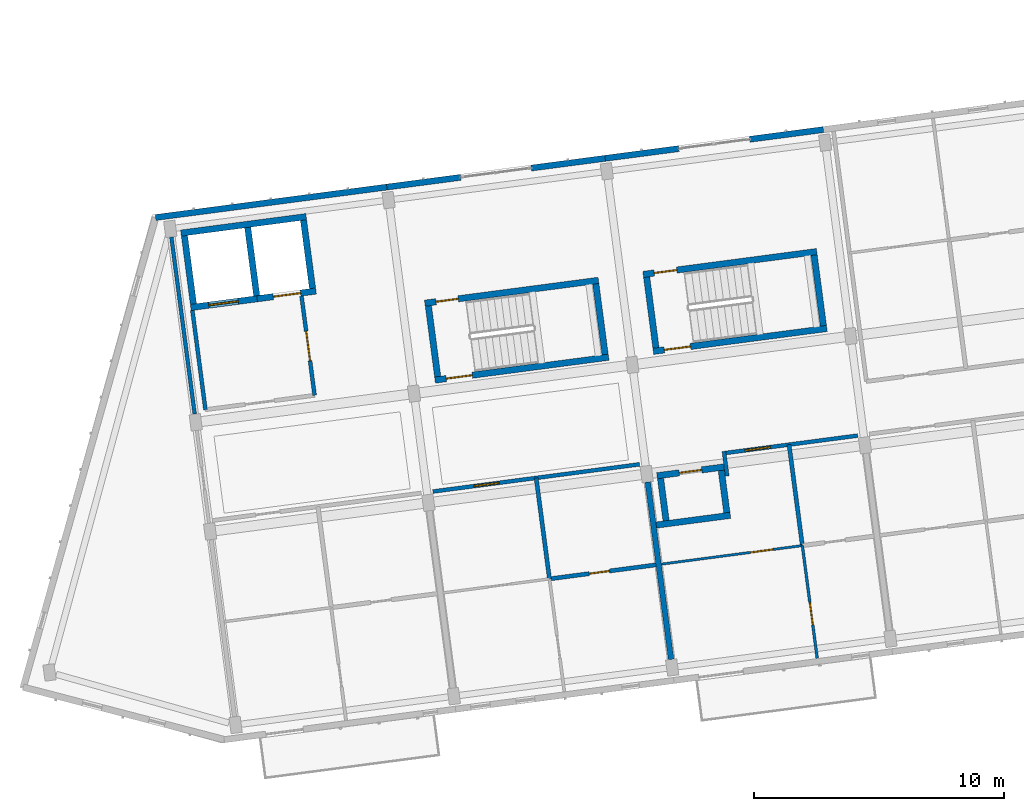
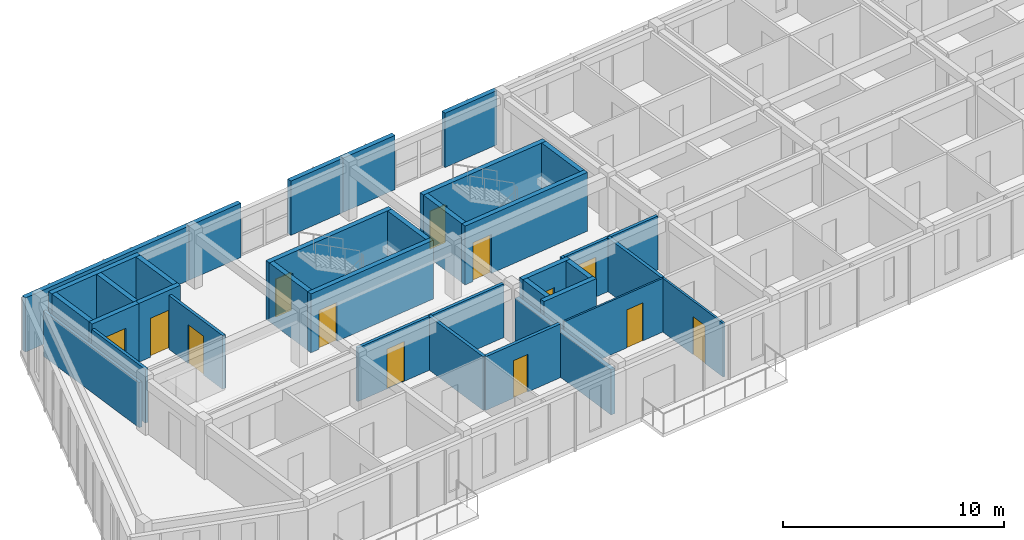
# One storey, part 21 of 56: 35 walls, 13 doors, 13 openings.
"""IFC4 building model written with IfcOpenShell, lengths in metres."""

from ifc_helpers import new_model, si_unit, direction, frame, frame_2d, origin, place, context, subcontext, project, spatial, rectangle, extrude, material, layer, layer_set, type_object, element, fill, save


model = new_model("IFC4")

# Units and contexts
model_context = context("Model", 3, precision=1e-05, world=origin(), true_north=direction((0.0, 1.0)))
body_context = subcontext(model_context, "Body", "Model", "MODEL_VIEW")
ifc_project = project(units=[si_unit("LENGTHUNIT", "METRE"), si_unit("AREAUNIT", "SQUARE_METRE"), si_unit("VOLUMEUNIT", "CUBIC_METRE"), si_unit("PLANEANGLEUNIT", "RADIAN"), si_unit("MASSUNIT", "GRAM", prefix="KILO")], contexts=[model_context])

# Site, building, storey
site_placement = place(None, origin())
site = spatial("IfcSite", under=ifc_project, at=site_placement, CompositionType="ELEMENT")
building_placement = place(site_placement, origin())
building = spatial("IfcBuilding", under=site, at=building_placement, Name="Kestramere Prow Commons", CompositionType="ELEMENT")
storey_placement = place(building_placement, frame((0.0, 0.0, 27.89990234375)))
storey = spatial("IfcBuildingStorey", under=building, at=storey_placement, Name="L08", CompositionType="ELEMENT", Elevation=27.89990234375)

# Walls
ifc_material_1 = material(Name="Fluoropolymer Standing-Seam Zinc-Aluminium Cladding", Category="aluminium")
ifc_layer_1 = layer(ifc_material_1, 0.239990234375)
ifc_layer_set_1 = layer_set([ifc_layer_1], Name="Fluoropolymer Standing-Seam Zinc-Aluminium Cladding")
wall_type_1 = type_object("IfcWallType", Name="EW-SEAM-240", PredefinedType="SOLIDWALL", material=ifc_layer_set_1)
wall_1_placement = place(storey_placement, frame((8.00048828125, 92.28076171875, 0.0), z_axis=(0.0, 0.0, 1.0), x_axis=(0.991442885224, 0.130541201693, 0.0)))
element("IfcWall", 1, at=wall_1_placement, inside=storey, type_object=wall_type_1, Name="Block A L08 North Standing-Seam Wall 1", PredefinedType="SOLIDWALL", context=body_context, shape_type="SweptSolid", body=[
    extrude(rectangle(XDim=9.324951171875, YDim=0.239990234375, at=frame_2d((4.66259765625, 0.0))), origin(), (0.0, 0.0, 1.0), 3.0),
])
for number, where, z_axis, x_axis, name in (
    (2, (17.24560546875, 93.498046875, 0.0), (0.0, 0.0, 1.0), (0.991451502252, 0.130475739826, 0.0), "Block A L08 North Standing-Seam Pier 2L"),
    (3, (23.020751953125, 94.25830078125, 0.0), (0.0, 0.0, 1.0), (0.991440883744, 0.130556401758, 0.0), "Block A L08 North Standing-Seam Pier 2R"),
):
    element("IfcWall", number, at=place(storey_placement, frame(where, z_axis=z_axis, x_axis=x_axis)), inside=storey, type_object=wall_type_1, Name=name, PredefinedType="SOLIDWALL", context=body_context, shape_type="SweptSolid", body=[
        extrude(rectangle(XDim=2.97509765625, YDim=0.239990234375, at=frame_2d((1.487548828125, 0.0))), origin(), (0.0, 0.0, 1.0), 3.0),
    ])
for number, where, z_axis, x_axis, name in (
    (4, (25.970458984375, 94.646728515625, 0.0), (0.0, 0.0, 1.0), (0.991450105095, 0.130486356022, 0.0), "Block A L08 North Standing-Seam Pier 3L"),
    (5, (31.74560546875, 95.406982421875, 0.0), (0.0, 0.0, 1.0), (0.991439484875, 0.130567024289, 0.0), "Block A L08 North Standing-Seam Pier 3R"),
):
    element("IfcWall", number, at=place(storey_placement, frame(where, z_axis=z_axis, x_axis=x_axis)), inside=storey, type_object=wall_type_1, Name=name, PredefinedType="SOLIDWALL", context=body_context, shape_type="SweptSolid", body=[
        extrude(rectangle(XDim=2.974853515625, YDim=0.239990234375, at=frame_2d((1.4873046875, 0.0))), origin(), (0.0, 0.0, 1.0), 3.0),
    ])
ifc_material_2 = material(Name="Concrete C40/50", Category="concrete")
ifc_layer_2 = layer(ifc_material_2, 0.25)
ifc_layer_set_2 = layer_set([ifc_layer_2], Name="Concrete C40/50")
wall_type_2 = type_object("IfcWallType", Name="W-CORE-250", PredefinedType="SHEAR", material=ifc_layer_set_2)
wall_2_placement = place(storey_placement, frame((9.015380859375, 91.657958984375, 0.0), z_axis=(0.0, 0.0, 1.0), x_axis=(0.991444419808, 0.130529546201, 0.0)))
element("IfcWall", 6, at=wall_2_placement, inside=storey, type_object=wall_type_2, Name="Block A L08 Lift Core Back Wall", PredefinedType="SHEAR", context=body_context, shape_type="SweptSolid", body=[
    extrude(rectangle(XDim=5.050048828125, YDim=0.25, at=frame_2d((2.52490234375, 0.0))), origin(), (0.0, 0.0, 1.0), 3.25),
])

# Wall, opening, door
wall_3_placement = place(storey_placement, frame((9.406982421875, 88.68359375, 0.0), z_axis=(0.0, 0.0, 1.0), x_axis=(0.991434713833, 0.130603247307, 0.0)))
wall_3 = element("IfcWall", 7, at=wall_3_placement, inside=storey, type_object=wall_type_2, Name="Block A L08 Fire Lift Shaft Front Wall", PredefinedType="SHEAR", context=body_context, shape_type="SweptSolid", body=[
    extrude(rectangle(XDim=2.675048828125, YDim=0.25, at=frame_2d((1.33740234375, 0.0))), origin(), (0.0, 0.0, 1.0), 3.25),
])
opening_1_placement = place(wall_3_placement, frame((0.719970703125, 0.0, 0.0)))
opening_1 = element("IfcOpeningElement", 8, at=opening_1_placement, cuts=wall_3, Name="Opening LD-02", PredefinedType="OPENING", context=body_context, shape_type="SweptSolid", body=[
    extrude(rectangle(XDim=1.199951171875, YDim=2.199951171875, at=frame_2d((0.60009765625, 1.10009765625))), frame((0.0, 0.139892578125, 0.0), z_axis=(0.0, -1.0, 0.0), x_axis=(1.0, 0.0, 0.0)), (0.0, 0.0, 1.0), 0.280029296875),
])
ifc_material_3 = material(Name="Brushed Stainless Steel 316", Category="steel")
door_type_1 = type_object("IfcDoorType", Name="LD-02", OperationType="DOUBLE_DOOR_SLIDING", PredefinedType="DOOR", material=ifc_material_3)
door_1_placement = place(opening_1_placement, origin())
door_1 = element("IfcDoor", 9, at=door_1_placement, inside=storey, type_object=door_type_1, Name="FL-A1 L08 Lift Landing Door", OperationType="DOUBLE_DOOR_SLIDING", OverallHeight=2.199951171875, OverallWidth=1.199951171875, PredefinedType="DOOR", context=body_context, shape_type="SweptSolid", body=[
    extrude(rectangle(XDim=1.199951171875, YDim=2.199951171875, at=frame_2d((0.60009765625, 1.10009765625))), frame((0.0, 0.02490234375, 0.0), z_axis=(0.0, -1.0, 0.0), x_axis=(1.0, 0.0, 0.0)), (0.0, 0.0, 1.0), 0.050048828125),
])
fill(opening_1, door_1)

wall_4_placement = place(storey_placement, frame((12.05908203125, 89.032958984375, 0.0), z_axis=(0.0, 0.0, 1.0), x_axis=(0.99145534515, 0.130446535303, 0.0)))
wall_4 = element("IfcWall", 10, at=wall_4_placement, inside=storey, type_object=wall_type_2, Name="Block A L08 Passenger Lift Shaft Front Wall", PredefinedType="SHEAR", context=body_context, shape_type="SweptSolid", body=[
    extrude(rectangle(XDim=2.375, YDim=0.25, at=frame_2d((1.1875, 0.0))), origin(), (0.0, 0.0, 1.0), 3.25),
])
opening_2_placement = place(wall_4_placement, frame((0.64990234375, 0.0, 0.0)))
opening_2 = element("IfcOpeningElement", 11, at=opening_2_placement, cuts=wall_4, Name="Opening LD-01", PredefinedType="OPENING", context=body_context, shape_type="SweptSolid", body=[
    extrude(rectangle(XDim=1.10009765625, YDim=2.14990234375, at=frame_2d((0.550048828125, 1.074951171875))), frame((0.0, 0.139892578125, 0.0), z_axis=(0.0, -1.0, 0.0), x_axis=(1.0, 0.0, 0.0)), (0.0, 0.0, 1.0), 0.280029296875),
])
ifc_material_4 = material(Name="Brushed Stainless Steel 304", Category="steel")
door_type_2 = type_object("IfcDoorType", Name="LD-01", OperationType="DOUBLE_DOOR_SLIDING", PredefinedType="DOOR", material=ifc_material_4)
door_2_placement = place(opening_2_placement, origin())
door_2 = element("IfcDoor", 12, at=door_2_placement, inside=storey, type_object=door_type_2, Name="PL-A2 L08 Lift Landing Door", OperationType="DOUBLE_DOOR_SLIDING", OverallHeight=2.14990234375, OverallWidth=1.10009765625, PredefinedType="DOOR", context=body_context, shape_type="SweptSolid", body=[
    extrude(rectangle(XDim=1.10009765625, YDim=2.14990234375, at=frame_2d((0.550048828125, 1.074951171875))), frame((0.0, 0.02490234375, 0.0), z_axis=(0.0, -1.0, 0.0), x_axis=(1.0, 0.0, 0.0)), (0.0, 0.0, 1.0), 0.050048828125),
])
fill(opening_2, door_2)

# Walls
for number, where, z_axis, x_axis, name in (
    (13, (9.5146484375, 88.823974609375, 0.0), (0.0, 0.0, 1.0), (-0.130500441374, 0.991448251197, 0.0), "Block A L08 Lift Core Side Wall L"),
    (14, (12.042724609375, 89.15673828125, 0.0), (0.0, 0.0, 1.0), (-0.130500441374, 0.991448251197, 0.0), "Block A L08 Lift Core Side Wall M"),
    (15, (14.2734375, 89.450439453125, 0.0), (0.0, 0.0, 1.0), (-0.130500441374, 0.991448251197, 0.0), "Block A L08 Lift Core Side Wall R"),
):
    element("IfcWall", number, at=place(storey_placement, frame(where, z_axis=z_axis, x_axis=x_axis)), inside=storey, type_object=wall_type_2, Name=name, PredefinedType="SHEAR", context=body_context, shape_type="SweptSolid", body=[
        extrude(rectangle(XDim=2.75, YDim=0.25, at=frame_2d((1.375, 0.0))), origin(), (0.0, 0.0, 1.0), 3.25),
    ])

# Wall, opening, door
wall_5_placement = place(storey_placement, frame((18.764404296875, 88.856689453125, 0.0), z_axis=(0.0, 0.0, 1.0), x_axis=(0.991447052715, 0.13050954625, 0.0)))
wall_5 = element("IfcWall", 16, at=wall_5_placement, inside=storey, type_object=wall_type_2, Name="ST-A1 L08 North Shaft Wall", PredefinedType="SHEAR", context=body_context, shape_type="SweptSolid", body=[
    extrude(rectangle(XDim=7.0, YDim=0.25, at=frame_2d((3.5, 0.0))), origin(), (0.0, 0.0, 1.0), 3.25),
])
opening_3_placement = place(wall_5_placement, frame((0.449951171875, 0.0, 0.0)))
opening_3 = element("IfcOpeningElement", 17, at=opening_3_placement, cuts=wall_5, Name="Opening ID-08", PredefinedType="OPENING", context=body_context, shape_type="SweptSolid", body=[
    extrude(rectangle(XDim=0.89990234375, YDim=2.10009765625, at=frame_2d((0.449951171875, 1.050048828125))), frame((0.0, 0.139892578125, 0.0), z_axis=(0.0, -1.0, 0.0), x_axis=(1.0, 0.0, 0.0)), (0.0, 0.0, 1.0), 0.280029296875),
])
ifc_material_5 = material(Name="Engineered Timber Flush Door", Category="wood")
door_type_3 = type_object("IfcDoorType", Name="D-RM-01", OperationType="NOTDEFINED", PredefinedType="DOOR", material=ifc_material_5)
door_3_placement = place(opening_3_placement, origin())
door_3 = element("IfcDoor", 18, at=door_3_placement, inside=storey, type_object=door_type_3, Name="ST-A1 L08 North Room Door", OperationType="SINGLE_SWING_RIGHT", OverallHeight=2.10009765625, OverallWidth=0.89990234375, PredefinedType="DOOR", context=body_context, shape_type="SweptSolid", body=[
    extrude(rectangle(XDim=0.89990234375, YDim=2.10009765625, at=frame_2d((0.449951171875, 1.050048828125))), frame((0.0, 0.02490234375, 0.0), z_axis=(0.0, -1.0, 0.0), x_axis=(1.0, 0.0, 0.0)), (0.0, 0.0, 1.0), 0.050048828125),
])
fill(opening_3, door_3)

wall_6_placement = place(storey_placement, frame((19.169189453125, 85.783203125, 0.0), z_axis=(0.0, 0.0, 1.0), x_axis=(0.991446458634, 0.130514059249, 0.0)))
wall_6 = element("IfcWall", 19, at=wall_6_placement, inside=storey, type_object=wall_type_2, Name="ST-A1 L08 Corridor Shaft Wall", PredefinedType="SHEAR", context=body_context, shape_type="SweptSolid", body=[
    extrude(rectangle(XDim=6.999755859375, YDim=0.25, at=frame_2d((3.5, 0.0))), origin(), (0.0, 0.0, 1.0), 3.25),
])
opening_4_placement = place(wall_6_placement, frame((0.449951171875, 0.0, 0.0)))
opening_4 = element("IfcOpeningElement", 20, at=opening_4_placement, cuts=wall_6, Name="Opening ID-01", PredefinedType="OPENING", context=body_context, shape_type="SweptSolid", body=[
    extrude(rectangle(XDim=1.050048828125, YDim=2.14990234375, at=frame_2d((0.52490234375, 1.074951171875))), frame((0.0, 0.139892578125, 0.0), z_axis=(0.0, -1.0, 0.0), x_axis=(1.0, 0.0, 0.0)), (0.0, 0.0, 1.0), 0.280029296875),
])
ifc_material_6 = material(Name="Fire-Rated Timber and Steel Frame", Category="steel")
door_type_4 = type_object("IfcDoorType", Name="FD-ST-01", OperationType="NOTDEFINED", PredefinedType="DOOR", material=ifc_material_6)
door_4_placement = place(opening_4_placement, origin())
door_4 = element("IfcDoor", 21, at=door_4_placement, inside=storey, type_object=door_type_4, Name="ST-A1 L08 Protected Stair Door", OperationType="SINGLE_SWING_LEFT", OverallHeight=2.14990234375, OverallWidth=1.050048828125, PredefinedType="DOOR", context=body_context, shape_type="SweptSolid", body=[
    extrude(rectangle(XDim=1.050048828125, YDim=2.14990234375, at=frame_2d((0.52490234375, 1.074951171875))), frame((0.0, 0.02490234375, 0.0), z_axis=(0.0, -1.0, 0.0), x_axis=(1.0, 0.0, 0.0)), (0.0, 0.0, 1.0), 0.050048828125),
])
fill(opening_4, door_4)

# Walls
for number, where, z_axis, x_axis, name in (
    (22, (19.27685546875, 85.92333984375, 0.0), (0.0, 0.0, 1.0), (-0.130547578832, 0.991442045538, 0.0), "ST-A1 L08 Near Shaft Wall"),
    (23, (25.968994140625, 86.804443359375, 0.0), (0.0, 0.0, 1.0), (-0.130547578832, 0.991442045538, 0.0), "ST-A1 L08 Far Shaft Wall"),
):
    element("IfcWall", number, at=place(storey_placement, frame(where, z_axis=z_axis, x_axis=x_axis)), inside=storey, type_object=wall_type_2, Name=name, PredefinedType="SHEAR", context=body_context, shape_type="SweptSolid", body=[
        extrude(rectangle(XDim=2.85009765625, YDim=0.25, at=frame_2d((1.425048828125, 0.0))), origin(), (0.0, 0.0, 1.0), 3.25),
    ])

# Wall, opening, door
wall_7_placement = place(storey_placement, frame((27.4892578125, 90.005126953125, 0.0), z_axis=(0.0, 0.0, 1.0), x_axis=(0.991441944909, 0.130548343059, 0.0)))
wall_7 = element("IfcWall", 24, at=wall_7_placement, inside=storey, type_object=wall_type_2, Name="ST-A2 L08 North Shaft Wall", PredefinedType="SHEAR", context=body_context, shape_type="SweptSolid", body=[
    extrude(rectangle(XDim=6.999755859375, YDim=0.25, at=frame_2d((3.5, 0.0))), origin(), (0.0, 0.0, 1.0), 3.25),
])
opening_5_placement = place(wall_7_placement, frame((0.449951171875, 0.0, 0.0)))
opening_5 = element("IfcOpeningElement", 25, at=opening_5_placement, cuts=wall_7, Name="Opening ID-08", PredefinedType="OPENING", context=body_context, shape_type="SweptSolid", body=[
    extrude(rectangle(XDim=0.89990234375, YDim=2.10009765625, at=frame_2d((0.449951171875, 1.050048828125))), frame((0.0, 0.139892578125, 0.0), z_axis=(0.0, -1.0, 0.0), x_axis=(1.0, 0.0, 0.0)), (0.0, 0.0, 1.0), 0.280029296875),
])
door_5_placement = place(opening_5_placement, origin())
door_5 = element("IfcDoor", 26, at=door_5_placement, inside=storey, type_object=door_type_3, Name="ST-A2 L08 North Room Door", OperationType="SINGLE_SWING_RIGHT", OverallHeight=2.10009765625, OverallWidth=0.89990234375, PredefinedType="DOOR", context=body_context, shape_type="SweptSolid", body=[
    extrude(rectangle(XDim=0.89990234375, YDim=2.10009765625, at=frame_2d((0.449951171875, 1.050048828125))), frame((0.0, 0.02490234375, 0.0), z_axis=(0.0, -1.0, 0.0), x_axis=(1.0, 0.0, 0.0)), (0.0, 0.0, 1.0), 0.050048828125),
])
fill(opening_5, door_5)

wall_8_placement = place(storey_placement, frame((27.893798828125, 86.931640625, 0.0), z_axis=(0.0, 0.0, 1.0), x_axis=(0.991442539299, 0.130543828916, 0.0)))
wall_8 = element("IfcWall", 27, at=wall_8_placement, inside=storey, type_object=wall_type_2, Name="ST-A2 L08 Corridor Shaft Wall", PredefinedType="SHEAR", context=body_context, shape_type="SweptSolid", body=[
    extrude(rectangle(XDim=7.0, YDim=0.25, at=frame_2d((3.5, 0.0))), origin(), (0.0, 0.0, 1.0), 3.25),
])
opening_6_placement = place(wall_8_placement, frame((0.449951171875, 0.0, 0.0)))
opening_6 = element("IfcOpeningElement", 28, at=opening_6_placement, cuts=wall_8, Name="Opening ID-01", PredefinedType="OPENING", context=body_context, shape_type="SweptSolid", body=[
    extrude(rectangle(XDim=1.050048828125, YDim=2.14990234375, at=frame_2d((0.52490234375, 1.074951171875))), frame((0.0, 0.139892578125, 0.0), z_axis=(0.0, -1.0, 0.0), x_axis=(1.0, 0.0, 0.0)), (0.0, 0.0, 1.0), 0.280029296875),
])
door_6_placement = place(opening_6_placement, origin())
door_6 = element("IfcDoor", 29, at=door_6_placement, inside=storey, type_object=door_type_4, Name="ST-A2 L08 Protected Stair Door", OperationType="SINGLE_SWING_LEFT", OverallHeight=2.14990234375, OverallWidth=1.050048828125, PredefinedType="DOOR", context=body_context, shape_type="SweptSolid", body=[
    extrude(rectangle(XDim=1.050048828125, YDim=2.14990234375, at=frame_2d((0.52490234375, 1.074951171875))), frame((0.0, 0.02490234375, 0.0), z_axis=(0.0, -1.0, 0.0), x_axis=(1.0, 0.0, 0.0)), (0.0, 0.0, 1.0), 0.050048828125),
])
fill(opening_6, door_6)

# Walls
wall_9_placement = place(storey_placement, frame((28.00146484375, 87.072021484375, 0.0), z_axis=(0.0, 0.0, 1.0), x_axis=(-0.130547578832, 0.991442045538, 0.0)))
element("IfcWall", 30, at=wall_9_placement, inside=storey, type_object=wall_type_2, Name="ST-A2 L08 Near Shaft Wall", PredefinedType="SHEAR", context=body_context, shape_type="SweptSolid", body=[
    extrude(rectangle(XDim=2.85009765625, YDim=0.25, at=frame_2d((1.425048828125, 0.0))), origin(), (0.0, 0.0, 1.0), 3.25),
])
wall_10_placement = place(storey_placement, frame((34.693603515625, 87.953125, 0.0), z_axis=(0.0, 0.0, 1.0), x_axis=(-0.130474457355, 0.991451671025, 0.0)))
element("IfcWall", 31, at=wall_10_placement, inside=storey, type_object=wall_type_2, Name="ST-A2 L08 Far Shaft Wall", PredefinedType="SHEAR", context=body_context, shape_type="SweptSolid", body=[
    extrude(rectangle(XDim=2.849853515625, YDim=0.25, at=frame_2d((1.4248046875, 0.0))), origin(), (0.0, 0.0, 1.0), 3.25),
])
ifc_material_7 = material(Name="Fire-Rated Calcium Silicate Wall")
ifc_layer_3 = layer(ifc_material_7, 0.155029296875)
ifc_layer_set_3 = layer_set([ifc_layer_3], Name="Fire-Rated Calcium Silicate Wall")
wall_type_3 = type_object("IfcWallType", Name="W-FIRE-150", PredefinedType="PARTITIONING", material=ifc_layer_set_3)
wall_11_placement = place(storey_placement, frame((9.994873046875, 84.6005859375, 0.0), z_axis=(0.0, 0.0, 1.0), x_axis=(-0.130492404742, 0.991449308994, 0.0)))
element("IfcWall", 32, at=wall_11_placement, inside=storey, type_object=wall_type_3, Name="Interior Partition PW-A-L08-FFL-W", PredefinedType="PARTITIONING", context=body_context, shape_type="SweptSolid", body=[
    extrude(rectangle(XDim=4.0, YDim=0.155029296875, at=frame_2d((2.0, 0.0))), origin(), (0.0, 0.0, 1.0), 2.97021484375),
])

# Wall, opening, door
wall_12_placement = place(storey_placement, frame((14.357421875, 85.1748046875, 0.0), z_axis=(0.0, 0.0, 1.0), x_axis=(-0.130552399509, 0.991441410766, 0.0)))
wall_12 = element("IfcWall", 33, at=wall_12_placement, inside=storey, type_object=wall_type_3, Name="Interior Partition PW-A-L08-FFL-E", PredefinedType="PARTITIONING", context=body_context, shape_type="SweptSolid", body=[
    extrude(rectangle(XDim=4.0, YDim=0.155029296875, at=frame_2d((2.0, 0.0))), origin(), (0.0, 0.0, 1.0), 2.97021484375),
])
opening_7_placement = place(wall_12_placement, frame((1.39990234375, 0.0, 0.0)))
opening_7 = element("IfcOpeningElement", 34, at=opening_7_placement, cuts=wall_12, Name="Opening ID-03", PredefinedType="OPENING", context=body_context, shape_type="SweptSolid", body=[
    extrude(rectangle(XDim=1.179931640625, YDim=2.14990234375, at=frame_2d((0.58984375, 1.074951171875))), frame((0.0, 0.092529296875, 0.0), z_axis=(0.0, -1.0, 0.0), x_axis=(1.0, 0.0, 0.0)), (0.0, 0.0, 1.0), 0.18505859375),
])
ifc_material_8 = material(Name="Fire-Rated Glazed Smoke-Stop Door")
door_type_5 = type_object("IfcDoorType", Name="FD-LB-01", OperationType="NOTDEFINED", PredefinedType="DOOR", material=ifc_material_8)
door_7_placement = place(opening_7_placement, origin())
door_7 = element("IfcDoor", 35, at=door_7_placement, inside=storey, type_object=door_type_5, Name="Interior Door DR-A-L08-FFL-PL", OperationType="SINGLE_SWING_LEFT", OverallHeight=2.14990234375, OverallWidth=1.179931640625, PredefinedType="DOOR", context=body_context, shape_type="SweptSolid", body=[
    extrude(rectangle(XDim=1.179931640625, YDim=2.14990234375, at=frame_2d((0.58984375, 1.074951171875))), frame((0.0, 0.02490234375, 0.0), z_axis=(0.0, -1.0, 0.0), x_axis=(1.0, 0.0, 0.0)), (0.0, 0.0, 1.0), 0.050048828125),
])
fill(opening_7, door_7)

wall_13_placement = place(storey_placement, frame((19.084716796875, 81.3291015625, 0.0), z_axis=(0.0, 0.0, 1.0), x_axis=(0.991446911972, 0.130510615437, 0.0)))
wall_13 = element("IfcWall", 36, at=wall_13_placement, inside=storey, type_object=wall_type_3, Name="Interior Partition PW-A-L08-CS-1", PredefinedType="PARTITIONING", context=body_context, shape_type="SweptSolid", body=[
    extrude(rectangle(XDim=8.330078125, YDim=0.155029296875, at=frame_2d((4.1650390625, 0.0))), origin(), (0.0, 0.0, 1.0), 2.97021484375),
])
opening_8_placement = place(wall_13_placement, frame((1.655029296875, 0.0, 0.0)))
opening_8 = element("IfcOpeningElement", 37, at=opening_8_placement, cuts=wall_13, Name="Opening ID-05", PredefinedType="OPENING", context=body_context, shape_type="SweptSolid", body=[
    extrude(rectangle(XDim=1.02001953125, YDim=2.199951171875, at=frame_2d((0.510009765625, 1.10009765625))), frame((0.0, 0.092529296875, 0.0), z_axis=(0.0, -1.0, 0.0), x_axis=(1.0, 0.0, 0.0)), (0.0, 0.0, 1.0), 0.18505859375),
])
ifc_material_9 = material(Name="Hardwood Fire-Rated Flat Entrance Door", Category="wood")
door_type_6 = type_object("IfcDoorType", Name="FD-ENT-02", OperationType="NOTDEFINED", PredefinedType="DOOR", material=ifc_material_9)
door_8_placement = place(opening_8_placement, origin())
door_8 = element("IfcDoor", 38, at=door_8_placement, inside=storey, type_object=door_type_6, Name="Interior Door DR-A-L08-ENT-S1", OperationType="SINGLE_SWING_RIGHT", OverallHeight=2.199951171875, OverallWidth=1.02001953125, PredefinedType="DOOR", context=body_context, shape_type="SweptSolid", body=[
    extrude(rectangle(XDim=1.02001953125, YDim=2.199951171875, at=frame_2d((0.510009765625, 1.10009765625))), frame((0.0, 0.02490234375, 0.0), z_axis=(0.0, -1.0, 0.0), x_axis=(1.0, 0.0, 0.0)), (0.0, 0.0, 1.0), 0.050048828125),
])
fill(opening_8, door_8)

# Wall
wall_14_placement = place(storey_placement, frame((30.849365234375, 81.949951171875, 0.0), z_axis=(0.0, 0.0, 1.0), x_axis=(-0.13055608231, 0.99144092581, 0.0)))
element("IfcWall", 39, at=wall_14_placement, inside=storey, type_object=wall_type_3, Name="Interior Partition PW-A-L08-HS-CLOSER", PredefinedType="PARTITIONING", context=body_context, shape_type="SweptSolid", body=[
    extrude(rectangle(XDim=0.994873046875, YDim=0.155029296875, at=frame_2d((0.49755859375, 0.0))), origin(), (0.0, 0.0, 1.0), 2.97021484375),
])

# Wall, opening, door
wall_15_placement = place(storey_placement, frame((30.80859375, 82.87255859375, 0.0), z_axis=(0.0, 0.0, 1.0), x_axis=(0.991445991454, 0.130517608122, 0.0)))
wall_15 = element("IfcWall", 40, at=wall_15_placement, inside=storey, type_object=wall_type_3, Name="Interior Partition PW-A-L08-CS-2", PredefinedType="PARTITIONING", context=body_context, shape_type="SweptSolid", body=[
    extrude(rectangle(XDim=5.304931640625, YDim=0.155029296875, at=frame_2d((2.65234375, 0.0))), origin(), (0.0, 0.0, 1.0), 2.97021484375),
])
opening_9_placement = place(wall_15_placement, frame((0.758056640625, 0.0, 0.0)))
opening_9 = element("IfcOpeningElement", 41, at=opening_9_placement, cuts=wall_15, Name="Opening ID-05", PredefinedType="OPENING", context=body_context, shape_type="SweptSolid", body=[
    extrude(rectangle(XDim=1.02001953125, YDim=2.199951171875, at=frame_2d((0.510009765625, 1.10009765625))), frame((0.0, 0.092529296875, 0.0), z_axis=(0.0, -1.0, 0.0), x_axis=(1.0, 0.0, 0.0)), (0.0, 0.0, 1.0), 0.18505859375),
])
door_9_placement = place(opening_9_placement, origin())
door_9 = element("IfcDoor", 42, at=door_9_placement, inside=storey, type_object=door_type_6, Name="Interior Door DR-A-L08-ENT-S2", OperationType="SINGLE_SWING_LEFT", OverallHeight=2.199951171875, OverallWidth=1.02001953125, PredefinedType="DOOR", context=body_context, shape_type="SweptSolid", body=[
    extrude(rectangle(XDim=1.02001953125, YDim=2.199951171875, at=frame_2d((0.510009765625, 1.10009765625))), frame((0.0, 0.02490234375, 0.0), z_axis=(0.0, -1.0, 0.0), x_axis=(1.0, 0.0, 0.0)), (0.0, 0.0, 1.0), 0.050048828125),
])
fill(opening_9, door_9)

# Wall
ifc_layer_4 = layer(ifc_material_2, 0.25)
ifc_layer_set_4 = layer_set([ifc_layer_4], Name="Concrete C40/50")
wall_type_4 = type_object("IfcWallType", Name="W-HS-250", PredefinedType="SHEAR", material=ifc_layer_set_4)
wall_16_placement = place(storey_placement, frame((28.01123046875, 79.987548828125, 0.0), z_axis=(0.0, 0.0, 1.0), x_axis=(0.991439837467, 0.130564346904, 0.0)))
element("IfcWall", 43, at=wall_16_placement, inside=storey, type_object=wall_type_4, Name="Block A L08 Household Shelter South Wall", PredefinedType="SHEAR", context=body_context, shape_type="SweptSolid", body=[
    extrude(rectangle(XDim=2.989990234375, YDim=0.25, at=frame_2d((1.4951171875, 0.0))), origin(), (0.0, 0.0, 1.0), 3.25),
])

# Wall, opening, door
wall_17_placement = place(storey_placement, frame((28.044189453125, 81.958740234375, 0.0), z_axis=(0.0, 0.0, 1.0), x_axis=(0.991439824936, 0.130564442062, 0.0)))
wall_17 = element("IfcWall", 44, at=wall_17_placement, inside=storey, type_object=wall_type_4, Name="Block A L08 Household Shelter North Wall", PredefinedType="SHEAR", context=body_context, shape_type="SweptSolid", body=[
    extrude(rectangle(XDim=2.7001953125, YDim=0.25, at=frame_2d((1.35009765625, 0.0))), origin(), (0.0, 0.0, 1.0), 3.25),
])
opening_10_placement = place(wall_17_placement, frame((0.89990234375, 0.0, 0.0)))
opening_10 = element("IfcOpeningElement", 45, at=opening_10_placement, cuts=wall_17, Name="Opening ID-06", PredefinedType="OPENING", context=body_context, shape_type="SweptSolid", body=[
    extrude(rectangle(XDim=0.89990234375, YDim=2.050048828125, at=frame_2d((0.449951171875, 1.02490234375))), frame((0.0, 0.139892578125, 0.0), z_axis=(0.0, -1.0, 0.0), x_axis=(1.0, 0.0, 0.0)), (0.0, 0.0, 1.0), 0.280029296875),
])
ifc_material_10 = material(Name="Galvanised Steel S275JR Household Shelter Door", Category="steel")
door_type_7 = type_object("IfcDoorType", Name="FD-HS-01", OperationType="NOTDEFINED", PredefinedType="DOOR", material=ifc_material_10)
door_10_placement = place(opening_10_placement, origin())
door_10 = element("IfcDoor", 46, at=door_10_placement, inside=storey, type_object=door_type_7, Name="Block A L08 Household Shelter Blast Door", OperationType="SINGLE_SWING_RIGHT", OverallHeight=2.050048828125, OverallWidth=0.89990234375, PredefinedType="DOOR", context=body_context, shape_type="SweptSolid", body=[
    extrude(rectangle(XDim=0.89990234375, YDim=2.050048828125, at=frame_2d((0.449951171875, 1.02490234375))), frame((0.0, 0.02490234375, 0.0), z_axis=(0.0, -1.0, 0.0), x_axis=(1.0, 0.0, 0.0)), (0.0, 0.0, 1.0), 0.050048828125),
])
fill(opening_10, door_10)

# Walls
wall_18_placement = place(storey_placement, frame((28.40625, 80.165771484375, 0.0), z_axis=(0.0, 0.0, 1.0), x_axis=(-0.130413643681, 0.991459672171, 0.0)))
element("IfcWall", 47, at=wall_18_placement, inside=storey, type_object=wall_type_4, Name="Block A L08 Household Shelter W Wall", PredefinedType="SHEAR", context=body_context, shape_type="SweptSolid", body=[
    extrude(rectangle(XDim=1.69970703125, YDim=0.25, at=frame_2d((0.849853515625, 0.0))), origin(), (0.0, 0.0, 1.0), 3.25),
])
wall_19_placement = place(storey_placement, frame((30.83544921875, 80.485595703125, 0.0), z_axis=(0.0, 0.0, 1.0), x_axis=(-0.1305548243, 0.991441091468, 0.0)))
element("IfcWall", 48, at=wall_19_placement, inside=storey, type_object=wall_type_4, Name="Block A L08 Household Shelter E Wall", PredefinedType="SHEAR", context=body_context, shape_type="SweptSolid", body=[
    extrude(rectangle(XDim=1.699951171875, YDim=0.25, at=frame_2d((0.85009765625, 0.0))), origin(), (0.0, 0.0, 1.0), 3.25),
])

# Wall, opening, door
ifc_material_11 = material(Name="Gypsum Acoustic Drywall")
ifc_layer_5 = layer(ifc_material_11, 0.110107421875)
ifc_layer_set_5 = layer_set([ifc_layer_5], Name="Gypsum Acoustic Drywall")
wall_type_5 = type_object("IfcWallType", Name="W-PART-110", PredefinedType="PARTITIONING", material=ifc_layer_set_5)
wall_20_placement = place(storey_placement, frame((34.44580078125, 74.6669921875, 0.0), z_axis=(0.0, 0.0, 1.0), x_axis=(-0.130511545171, 0.991446789584, 0.0)))
wall_20 = element("IfcWall", 49, at=wall_20_placement, inside=storey, type_object=wall_type_5, Name="Interior Partition PW-A-L08-LB-S2", PredefinedType="PARTITIONING", context=body_context, shape_type="SweptSolid", body=[
    extrude(rectangle(XDim=4.5400390625, YDim=0.110107421875, at=frame_2d((2.27001953125, 0.0))), origin(), (0.0, 0.0, 1.0), 2.97021484375),
])
opening_11_placement = place(wall_20_placement, frame((1.35009765625, 0.0, 0.0)))
opening_11 = element("IfcOpeningElement", 50, at=opening_11_placement, cuts=wall_20, Name="Opening ID-08", PredefinedType="OPENING", context=body_context, shape_type="SweptSolid", body=[
    extrude(rectangle(XDim=0.89990234375, YDim=2.10009765625, at=frame_2d((0.449951171875, 1.050048828125))), frame((0.0, 0.070068359375, 0.0), z_axis=(0.0, -1.0, 0.0), x_axis=(1.0, 0.0, 0.0)), (0.0, 0.0, 1.0), 0.14013671875),
])
door_11_placement = place(opening_11_placement, origin())
door_11 = element("IfcDoor", 51, at=door_11_placement, inside=storey, type_object=door_type_3, Name="Interior Door DR-A-L08-BED-S2", OperationType="SINGLE_SWING_LEFT", OverallHeight=2.10009765625, OverallWidth=0.89990234375, PredefinedType="DOOR", context=body_context, shape_type="SweptSolid", body=[
    extrude(rectangle(XDim=0.89990234375, YDim=2.10009765625, at=frame_2d((0.449951171875, 1.050048828125))), frame((0.0, 0.02490234375, 0.0), z_axis=(0.0, -1.0, 0.0), x_axis=(1.0, 0.0, 0.0)), (0.0, 0.0, 1.0), 0.050048828125),
])
fill(opening_11, door_11)

# Wall
ifc_material_12 = material(Name="Masonry Compartment Wall", Category="masonry")
ifc_layer_6 = layer(ifc_material_12, 0.14990234375)
ifc_layer_set_6 = layer_set([ifc_layer_6], Name="Masonry Compartment Wall")
wall_type_6 = type_object("IfcWallType", Name="W-PART-150", PredefinedType="PARTITIONING", material=ifc_layer_set_6)
wall_21_placement = place(storey_placement, frame((9.56396484375, 84.427734375, 0.0), z_axis=(0.0, 0.0, 1.0), x_axis=(-0.130526257258, 0.991444852811, 0.0)))
element("IfcWall", 52, at=wall_21_placement, inside=storey, type_object=wall_type_6, Name="Interior Partition PW-A-L08-PRW-N", PredefinedType="PARTITIONING", context=body_context, shape_type="SweptSolid", body=[
    extrude(rectangle(XDim=7.130126953125, YDim=0.14990234375, at=frame_2d((3.56494140625, 0.0))), origin(), (0.0, 0.0, 1.0), 2.5),
])

# Wall, opening, door
ifc_layer_7 = layer(ifc_material_11, 0.094970703125)
ifc_layer_set_7 = layer_set([ifc_layer_7], Name="Gypsum Acoustic Drywall")
wall_type_7 = type_object("IfcWallType", Name="W-PART-95", PredefinedType="PARTITIONING", material=ifc_layer_set_7)
wall_22_placement = place(storey_placement, frame((28.2216796875, 78.4267578125, 0.0), z_axis=(0.0, 0.0, 1.0), x_axis=(0.991443905556, 0.130533452169, 0.0)))
wall_22 = element("IfcWall", 53, at=wall_22_placement, inside=storey, type_object=wall_type_7, Name="Interior Partition PW-A-L08-MIDS1-2", PredefinedType="PARTITIONING", context=body_context, shape_type="SweptSolid", body=[
    extrude(rectangle(XDim=5.68017578125, YDim=0.094970703125, at=frame_2d((2.840087890625, 0.0))), origin(), (0.0, 0.0, 1.0), 2.97021484375),
])
opening_12_placement = place(wall_22_placement, frame((3.594970703125, 0.0, 0.0)))
opening_12 = element("IfcOpeningElement", 54, at=opening_12_placement, cuts=wall_22, Name="Opening ID-08", PredefinedType="OPENING", context=body_context, shape_type="SweptSolid", body=[
    extrude(rectangle(XDim=0.89990234375, YDim=2.10009765625, at=frame_2d((0.449951171875, 1.050048828125))), frame((0.0, 0.0625, 0.0), z_axis=(0.0, -1.0, 0.0), x_axis=(1.0, 0.0, 0.0)), (0.0, 0.0, 1.0), 0.125),
])
door_12_placement = place(opening_12_placement, origin())
door_12 = element("IfcDoor", 55, at=door_12_placement, inside=storey, type_object=door_type_3, Name="Interior Door DR-A-L08-KL-S2", OperationType="SINGLE_SWING_RIGHT", OverallHeight=2.10009765625, OverallWidth=0.89990234375, PredefinedType="DOOR", context=body_context, shape_type="SweptSolid", body=[
    extrude(rectangle(XDim=0.89990234375, YDim=2.10009765625, at=frame_2d((0.449951171875, 1.050048828125))), frame((0.0, 0.02490234375, 0.0), z_axis=(0.0, -1.0, 0.0), x_axis=(1.0, 0.0, 0.0)), (0.0, 0.0, 1.0), 0.050048828125),
])
fill(opening_12, door_12)

ifc_material_13 = material(Name="Waterproof Sanitary Masonry Wall", Category="masonry")
ifc_layer_8 = layer(ifc_material_13, 0.1650390625)
ifc_layer_set_8 = layer_set([ifc_layer_8], Name="Waterproof Sanitary Masonry Wall")
wall_type_8 = type_object("IfcWallType", Name="W-PLUMB-150", PredefinedType="PLUMBINGWALL", material=ifc_layer_set_8)
wall_23_placement = place(storey_placement, frame((23.745361328125, 77.83740234375, 0.0), z_axis=(0.0, 0.0, 1.0), x_axis=(0.991444014242, 0.130532626667, 0.0)))
wall_23 = element("IfcWall", 56, at=wall_23_placement, inside=storey, type_object=wall_type_8, Name="Interior Partition PW-A-L08-MIDS2-1", PredefinedType="PLUMBINGWALL", context=body_context, shape_type="SweptSolid", body=[
    extrude(rectangle(XDim=4.284912109375, YDim=0.1650390625, at=frame_2d((2.142578125, 0.0))), origin(), (0.0, 0.0, 1.0), 2.97021484375),
])
opening_13_placement = place(wall_23_placement, frame((1.60009765625, 0.0, 0.0)))
opening_13 = element("IfcOpeningElement", 57, at=opening_13_placement, cuts=wall_23, Name="Opening ID-11", PredefinedType="OPENING", context=body_context, shape_type="SweptSolid", body=[
    extrude(rectangle(XDim=0.820068359375, YDim=2.080078125, at=frame_2d((0.41015625, 1.0400390625))), frame((0.0, 0.097412109375, 0.0), z_axis=(0.0, -1.0, 0.0), x_axis=(1.0, 0.0, 0.0)), (0.0, 0.0, 1.0), 0.195068359375),
])
ifc_material_14 = material(Name="Moisture-Resistant Timber Bathroom Door", Category="wood")
door_type_8 = type_object("IfcDoorType", Name="D-BT-01", OperationType="NOTDEFINED", PredefinedType="DOOR", material=ifc_material_14)
door_13_placement = place(opening_13_placement, origin())
door_13 = element("IfcDoor", 58, at=door_13_placement, inside=storey, type_object=door_type_8, Name="Interior Door DR-A-L08-BTH-S1", OperationType="SINGLE_SWING_LEFT", OverallHeight=2.080078125, OverallWidth=0.820068359375, PredefinedType="DOOR", context=body_context, shape_type="SweptSolid", body=[
    extrude(rectangle(XDim=0.820068359375, YDim=2.080078125, at=frame_2d((0.41015625, 1.0400390625))), frame((0.0, 0.02490234375, 0.0), z_axis=(0.0, -1.0, 0.0), x_axis=(1.0, 0.0, 0.0)), (0.0, 0.0, 1.0), 0.050048828125),
])
fill(opening_13, door_13)

# Walls
for number, where, z_axis, x_axis, name in (
    (59, (23.745361328125, 77.83740234375, 0.0), (0.0, 0.0, 1.0), (-0.13052899417, 0.991444492486, 0.0), "Interior Partition PW-A-L08-KB-S1"),
    (60, (33.853271484375, 79.168212890625, 0.0), (0.0, 0.0, 1.0), (-0.13052899417, 0.991444492486, 0.0), "Interior Partition PW-A-L08-KB-S2"),
):
    element("IfcWall", number, at=place(storey_placement, frame(where, z_axis=z_axis, x_axis=x_axis)), inside=storey, type_object=wall_type_8, Name=name, PredefinedType="PLUMBINGWALL", context=body_context, shape_type="SweptSolid", body=[
        extrude(rectangle(XDim=4.070068359375, YDim=0.1650390625, at=frame_2d((2.03515625, 0.0))), origin(), (0.0, 0.0, 1.0), 2.97021484375),
    ])
ifc_material_15 = material(Name="Precast concrete C40/50", Category="concrete")
ifc_layer_9 = layer(ifc_material_15, 0.219970703125)
ifc_layer_set_9 = layer_set([ifc_layer_9], Name="Precast concrete C40/50")
wall_type_9 = type_object("IfcWallType", Name="W-XWALL-220", PredefinedType="SHEAR", material=ifc_layer_set_9)
wall_24_placement = place(storey_placement, frame((28.60693359375, 74.619384765625, 0.0), z_axis=(0.0, 0.0, 1.0), x_axis=(-0.130503975686, 0.991447785983, 0.0)))
element("IfcWall", 61, at=wall_24_placement, inside=storey, type_object=wall_type_9, Name="Block A L08 Precast Cross-Wall 2", PredefinedType="SHEAR", context=body_context, shape_type="SweptSolid", body=[
    extrude(rectangle(XDim=7.14990234375, YDim=0.219970703125, at=frame_2d((3.574951171875, 0.0))), origin(), (0.0, 0.0, 1.0), 2.5),
])

save(model, "model.ifc")
